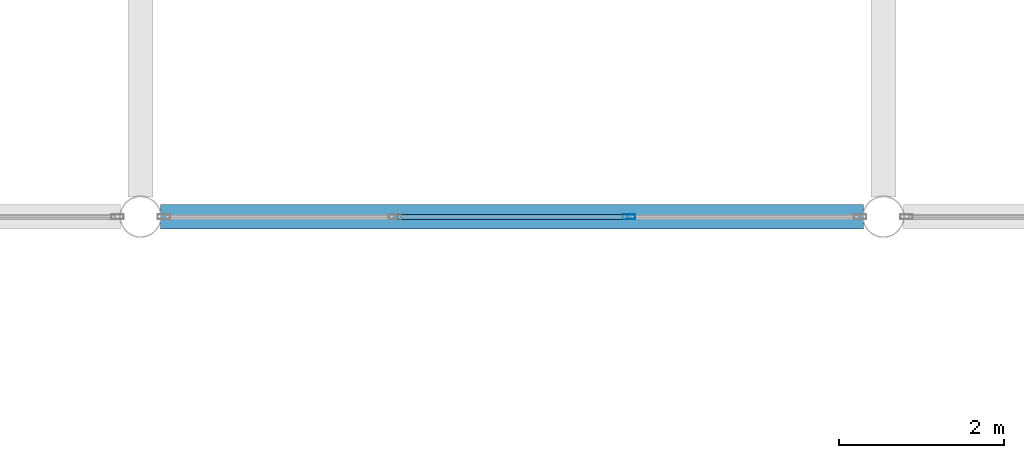
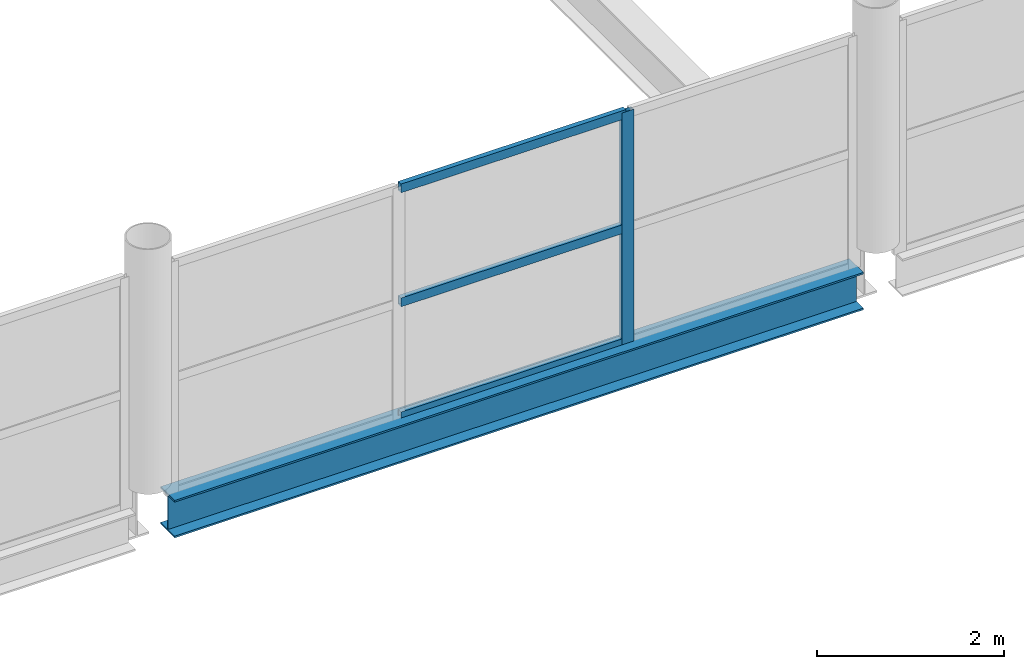
# One storey, part 22 of 134: 4 members, 1 beam, 1 element without a shape of its own.
"""IFC4 building model written with IfcOpenShell, lengths in metres."""

from ifc_helpers import new_model, si_unit, direction, frame, origin, origin_2d, place, context, subcontext, project, spatial, hollow_rectangle, i_section, extrude, material, layer, layer_set, material_profile, profile_set, type_object, element, aggregate, save


model = new_model("IFC4")

# Units and contexts
model_context = context("Model", 3, precision=1e-05, world=origin(), true_north=direction((0.0, 1.0)))
body_context = subcontext(model_context, "Body", "Model", "MODEL_VIEW")
ifc_project = project(units=[si_unit("LENGTHUNIT", "METRE"), si_unit("AREAUNIT", "SQUARE_METRE"), si_unit("VOLUMEUNIT", "CUBIC_METRE"), si_unit("PLANEANGLEUNIT", "RADIAN"), si_unit("MASSUNIT", "GRAM", prefix="KILO")], contexts=[model_context])

# Site, building, storey
site_placement = place(None, origin())
site = spatial("IfcSite", under=ifc_project, at=site_placement, CompositionType="ELEMENT")
building_placement = place(site_placement, origin())
building = spatial("IfcBuilding", under=site, at=building_placement, Name="Tamarisk Ironworks Central Station", CompositionType="ELEMENT")
storey_placement = place(building_placement, frame((0.0, 0.0, 12.60009765625)))
storey = spatial("IfcBuildingStorey", under=building, at=storey_placement, Name="L02", CompositionType="ELEMENT", Elevation=12.60009765625)

# Beam
ifc_material_1 = material(Name="Structural steel S355J2", Category="steel")
ifc_material_profile_1 = material_profile(ifc_material_1, i_section(OverallWidth=0.300048828125, OverallDepth=0.489990234375, WebThickness=0.011962890625, FlangeThickness=0.02294921875, at=origin_2d()), Name="HEA 500")
ifc_profile_set_1 = profile_set([ifc_material_profile_1], Name="Structural steel S355J2")
beam_type = type_object("IfcBeamType", Name="BM-G05", PredefinedType="BEAM", material=ifc_profile_set_1)
beam_placement = place(storey_placement, frame((9.241943359375, 21.60009765625, -0.4951171875), z_axis=(1.0, 0.0, 0.0), x_axis=(0.0, 1.0, 0.0)))
element("IfcBeam", 1, at=beam_placement, inside=storey, type_object=beam_type, Name="L02 primary girder X-0307", PredefinedType="BEAM", context=body_context, shape_type="SweptSolid", body=[
    extrude(i_section(OverallWidth=0.300048828125, OverallDepth=0.489990234375, WebThickness=0.011962890625, FlangeThickness=0.02294921875, at=origin_2d()), origin(), (0.0, 0.0, 1.0), 8.51611328125),
])

# Curtain wall, members
ifc_material_2 = material(Name="Anodized aluminium alloy 6063-T6", Category="aluminium")
ifc_layer = layer(ifc_material_2, 0.179931640625)
ifc_layer_set = layer_set([ifc_layer], Name="Anodized aluminium alloy 6063-T6")
curtain_wall_type = type_object("IfcCurtainWallType", Name="CW-08", PredefinedType="USERDEFINED", material=ifc_layer_set)
curtain_wall_placement = place(storey_placement, origin())
curtain_wall = element("IfcCurtainWall", 2, at=curtain_wall_placement, inside=storey, type_object=curtain_wall_type, Name="Train shed WS clerestory curtain wall 009", ObjectType="GLAZED CURTAIN WALL", PredefinedType="USERDEFINED")
ifc_material_profile_2 = material_profile(ifc_material_2, hollow_rectangle(XDim=0.06005859375, YDim=0.14990234375, WallThickness=0.00341796875, at=origin_2d()), Name="ALUM 150x60")
ifc_profile_set_2 = profile_set([ifc_material_profile_2], Name="Anodized aluminium alloy 6063-T6")
member_type_1 = type_object("IfcMemberType", Name="CWM-03", PredefinedType="MULLION", material=ifc_profile_set_2)
member_1_placement = place(storey_placement, frame((14.916015625, 21.60009765625, -0.260009765625), z_axis=(0.0, 0.0, 1.0), x_axis=(0.0, 1.0, 0.0)))
member_1 = element("IfcMember", 3, at=member_1_placement, type_object=member_type_1, Name="CW08 mullion 3", PredefinedType="MULLION", context=body_context, shape_type="SweptSolid", body=[
    extrude(hollow_rectangle(XDim=0.06005859375, YDim=0.14990234375, WallThickness=0.00341796875, at=origin_2d()), origin(), (0.0, 0.0, 1.0), 3.039794921875),
])
ifc_material_profile_3 = material_profile(ifc_material_2, hollow_rectangle(XDim=0.06005859375, YDim=0.114990234375, WallThickness=0.00341796875, at=origin_2d()), Name="ALUM 115x60")
ifc_profile_set_3 = profile_set([ifc_material_profile_3], Name="Anodized aluminium alloy 6063-T6")
member_type_2 = type_object("IfcMemberType", Name="CWT-03", PredefinedType="USERDEFINED", material=ifc_profile_set_3)
member_2_placement = place(storey_placement, frame((12.110107421875, 21.60009765625, -0.22998046875), z_axis=(1.0, 0.0, 0.0), x_axis=(0.0, 1.0, 0.0)))
member_2 = element("IfcMember", 4, at=member_2_placement, type_object=member_type_2, Name="CW08 transom 2.1", ObjectType="TRANSOM", PredefinedType="USERDEFINED", context=body_context, shape_type="SweptSolid", body=[
    extrude(hollow_rectangle(XDim=0.06005859375, YDim=0.114990234375, WallThickness=0.00341796875, at=origin_2d()), origin(), (0.0, 0.0, 1.0), 2.77978515625),
])
member_3_placement = place(storey_placement, frame((12.110107421875, 21.60009765625, 1.260009765625), z_axis=(1.0, 0.0, 0.0), x_axis=(0.0, 1.0, 0.0)))
member_3 = element("IfcMember", 5, at=member_3_placement, type_object=member_type_2, Name="CW08 transom 2.2", ObjectType="TRANSOM", PredefinedType="USERDEFINED", context=body_context, shape_type="SweptSolid", body=[
    extrude(hollow_rectangle(XDim=0.06005859375, YDim=0.114990234375, WallThickness=0.00341796875, at=origin_2d()), origin(), (0.0, 0.0, 1.0), 2.77978515625),
])
member_4_placement = place(storey_placement, frame((12.110107421875, 21.60009765625, 2.75), z_axis=(1.0, 0.0, 0.0), x_axis=(0.0, 1.0, 0.0)))
member_4 = element("IfcMember", 6, at=member_4_placement, type_object=member_type_2, Name="CW08 transom 2.3", ObjectType="TRANSOM", PredefinedType="USERDEFINED", context=body_context, shape_type="SweptSolid", body=[
    extrude(hollow_rectangle(XDim=0.06005859375, YDim=0.114990234375, WallThickness=0.00341796875, at=origin_2d()), origin(), (0.0, 0.0, 1.0), 2.77978515625),
])
aggregate(curtain_wall, [member_1, member_2, member_3, member_4])

save(model, "model.ifc")
